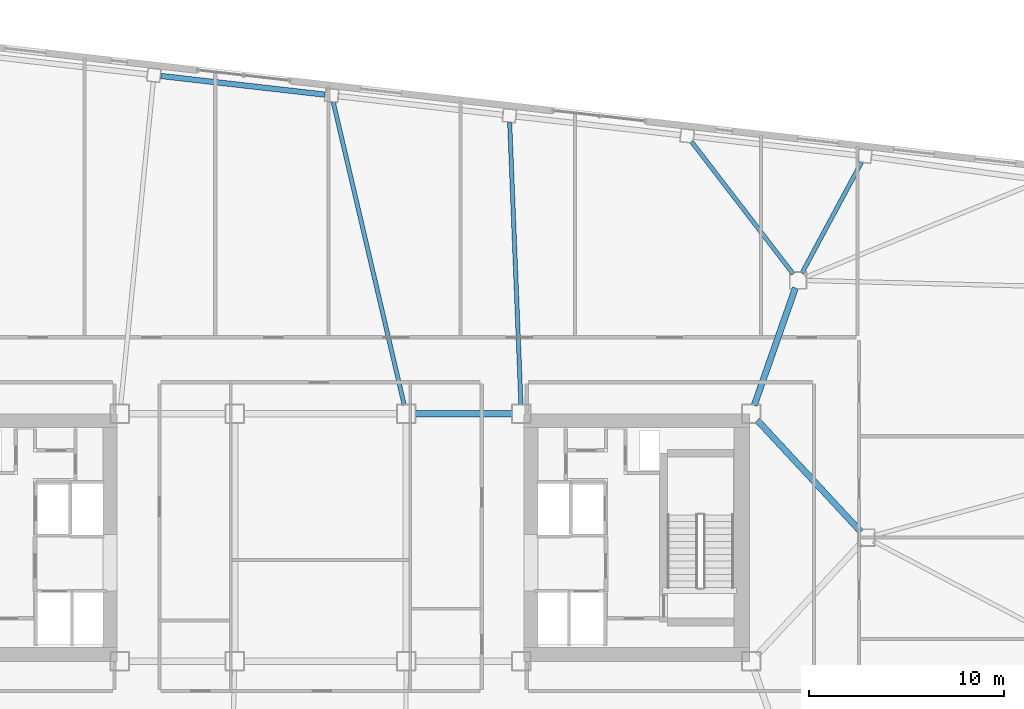
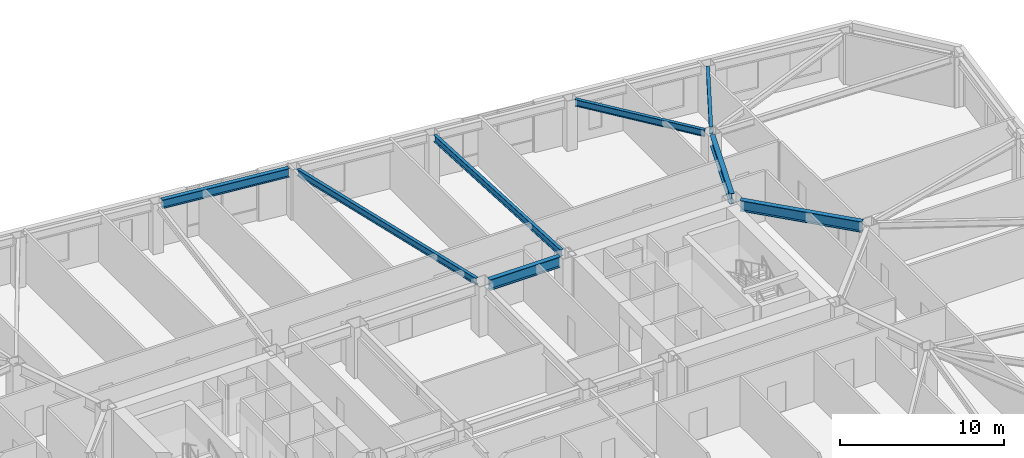
# One storey, part 7 of 21: 8 beams.
"""IFC4 building model written with IfcOpenShell, lengths in metres."""

from ifc_helpers import new_model, si_unit, direction, frame, origin, origin_2d, place, context, subcontext, project, spatial, i_section, extrude, material, material_profile, profile_set, type_object, element, save


model = new_model("IFC4")

# Units and contexts
model_context = context("Model", 3, precision=1e-05, world=origin(), true_north=direction((0.0, 1.0)))
body_context = subcontext(model_context, "Body", "Model", "MODEL_VIEW")
ifc_project = project(units=[si_unit("LENGTHUNIT", "METRE"), si_unit("AREAUNIT", "SQUARE_METRE"), si_unit("VOLUMEUNIT", "CUBIC_METRE"), si_unit("PLANEANGLEUNIT", "RADIAN"), si_unit("MASSUNIT", "GRAM", prefix="KILO")], contexts=[model_context])

# Site, building, storey
site_placement = place(None, origin())
site = spatial("IfcSite", under=ifc_project, at=site_placement, CompositionType="ELEMENT")
building_placement = place(site_placement, origin())
building = spatial("IfcBuilding", under=site, at=building_placement, Name="Tavrogorsk Clinical Tower", CompositionType="ELEMENT")
storey_placement = place(building_placement, frame((0.0, 0.0, 133.39990234375)))
storey = spatial("IfcBuildingStorey", under=building, at=storey_placement, Name="L30", CompositionType="ELEMENT", Elevation=133.39990234375)

# Beams
ifc_material_1 = material(Name="Structural steel S355", Category="steel")
ifc_material_profile_1 = material_profile(ifc_material_1, i_section(OverallWidth=0.219970703125, OverallDepth=0.5, WebThickness=0.012939453125, FlangeThickness=0.02001953125, at=origin_2d()), Name="B-500x220x13x20")
ifc_profile_set_1 = profile_set([ifc_material_profile_1], Name="Structural steel S355")
beam_type_1 = type_object("IfcBeamType", Name="FloorBeam_B500", PredefinedType="BEAM", material=ifc_profile_set_1)
beam_1_placement = place(storey_placement, frame((24.6943359375, 13.56103515625, 3.489990234375), z_axis=(0.473788919736, 0.880638438597, 0.0), x_axis=(-0.880638438597, 0.473788919736, 0.0)))
element("IfcBeam", 1, at=beam_1_placement, inside=storey, type_object=beam_type_1, Name="L30 Radial Floor Beam N2", PredefinedType="BEAM", context=body_context, shape_type="SweptSolid", body=[
    extrude(i_section(OverallWidth=0.219970703125, OverallDepth=0.5, WebThickness=0.012939453125, FlangeThickness=0.02001953125, at=origin_2d()), origin(), (0.0, 0.0, 1.0), 6.462890625),
])
beam_2_placement = place(storey_placement, frame((24.250244140625, 13.525146484375, 3.489990234375), z_axis=(-0.609376288757, 0.792881163038, 0.0), x_axis=(-0.792881163038, -0.609376288757, 0.0)))
element("IfcBeam", 2, at=beam_2_placement, inside=storey, type_object=beam_type_1, Name="L30 Radial Floor Beam N3", PredefinedType="BEAM", context=body_context, shape_type="SweptSolid", body=[
    extrude(i_section(OverallWidth=0.219970703125, OverallDepth=0.5, WebThickness=0.012939453125, FlangeThickness=0.02001953125, at=origin_2d()), origin(), (0.0, 0.0, 1.0), 8.5732421875),
])
beam_3_placement = place(storey_placement, frame((10.28173828125, 6.8095703125, 3.489990234375), z_axis=(-0.039881908424, 0.999204400201, 0.0), x_axis=(-0.999204400201, -0.039881908424, 0.0)))
element("IfcBeam", 3, at=beam_3_placement, inside=storey, type_object=beam_type_1, Name="L30 Radial Floor Beam N4", PredefinedType="BEAM", context=body_context, shape_type="SweptSolid", body=[
    extrude(i_section(OverallWidth=0.219970703125, OverallDepth=0.5, WebThickness=0.012939453125, FlangeThickness=0.02001953125, at=origin_2d()), origin(), (0.0, 0.0, 1.0), 14.48974609375),
])
beam_4_placement = place(storey_placement, frame((4.294921875, 6.7978515625, 3.489990234375), z_axis=(-0.228197667081, 0.973614823603, 0.0), x_axis=(-0.973614823603, -0.228197667081, 0.0)))
element("IfcBeam", 4, at=beam_4_placement, inside=storey, type_object=beam_type_1, Name="L30 Radial Floor Beam N5", PredefinedType="BEAM", context=body_context, shape_type="SweptSolid", body=[
    extrude(i_section(OverallWidth=0.219970703125, OverallDepth=0.5, WebThickness=0.012939453125, FlangeThickness=0.02001953125, at=origin_2d()), origin(), (0.0, 0.0, 1.0), 15.959228515625),
])
ifc_material_2 = material(Name="Structural steel S390", Category="steel")
ifc_material_profile_2 = material_profile(ifc_material_2, i_section(OverallWidth=0.320068359375, OverallDepth=0.800048828125, WebThickness=0.02001953125, FlangeThickness=0.033935546875, at=origin_2d()), Name="B-800x320x20x34")
ifc_profile_set_2 = profile_set([ifc_material_profile_2], Name="Structural steel S390")
beam_type_2 = type_object("IfcBeamType", Name="PrimaryGirder_B800", PredefinedType="USERDEFINED", material=ifc_profile_set_2)
beam_5_placement = place(storey_placement, frame((4.860107421875, 6.35009765625, 3.340087890625), z_axis=(1.0, 0.0, 0.0), x_axis=(0.0, 1.0, 0.0)))
element("IfcBeam", 5, at=beam_5_placement, inside=storey, type_object=beam_type_2, Name="L30 Primary Spine Girder MG-06", ObjectType="GIRDER", PredefinedType="USERDEFINED", context=body_context, shape_type="SweptSolid", body=[
    extrude(i_section(OverallWidth=0.320068359375, OverallDepth=0.800048828125, WebThickness=0.02001953125, FlangeThickness=0.033935546875, at=origin_2d()), origin(), (0.0, 0.0, 1.0), 4.97998046875),
])
beam_6_placement = place(storey_placement, frame((24.364501953125, 12.81298828125, 3.340087890625), z_axis=(-0.330660234815, -0.943749865755, 0.0), x_axis=(0.943749865755, -0.330660234815, 0.0)))
element("IfcBeam", 6, at=beam_6_placement, inside=storey, type_object=beam_type_2, Name="L30 Spine Link Girder OPG-4", ObjectType="GIRDER", PredefinedType="USERDEFINED", context=body_context, shape_type="SweptSolid", body=[
    extrude(i_section(OverallWidth=0.320068359375, OverallDepth=0.800048828125, WebThickness=0.02001953125, FlangeThickness=0.033935546875, at=origin_2d()), origin(), (0.0, 0.0, 1.0), 6.38818359375),
])
beam_7_placement = place(storey_placement, frame((27.720947265625, 0.30029296875, 3.340087890625), z_axis=(-0.680675630035, 0.732584934787, 0.0), x_axis=(-0.732584934787, -0.680675630035, 0.0)))
element("IfcBeam", 7, at=beam_7_placement, inside=storey, type_object=beam_type_2, Name="L30 Spine Link Girder OPG-8", ObjectType="GIRDER", PredefinedType="USERDEFINED", context=body_context, shape_type="SweptSolid", body=[
    extrude(i_section(OverallWidth=0.320068359375, OverallDepth=0.800048828125, WebThickness=0.02001953125, FlangeThickness=0.033935546875, at=origin_2d()), origin(), (0.0, 0.0, 1.0), 7.7978515625),
])
ifc_material_3 = material(Name="Structural steel S390", Category="steel")
ifc_material_profile_3 = material_profile(ifc_material_3, i_section(OverallWidth=0.280029296875, OverallDepth=0.64990234375, WebThickness=0.01611328125, FlangeThickness=0.02490234375, at=origin_2d()), Name="B-650x280x16x25")
ifc_profile_set_3 = profile_set([ifc_material_profile_3], Name="Structural steel S390")
beam_type_3 = type_object("IfcBeamType", Name="SpandrelBeam_B650", PredefinedType="SPANDREL", material=ifc_profile_set_3)
beam_8_placement = place(storey_placement, frame((0.2158203125, 22.724853515625, 3.4150390625), z_axis=(-0.993569819641, 0.113221082395, 0.0), x_axis=(-0.113221082395, -0.993569819641, 0.0)))
element("IfcBeam", 8, at=beam_8_placement, inside=storey, type_object=beam_type_3, Name="L30 Perimeter Spandrel N5-N6", PredefinedType="SPANDREL", context=body_context, shape_type="SweptSolid", body=[
    extrude(i_section(OverallWidth=0.280029296875, OverallDepth=0.64990234375, WebThickness=0.01611328125, FlangeThickness=0.02490234375, at=origin_2d()), origin(), (0.0, 0.0, 1.0), 8.46142578125),
])

save(model, "model.ifc")
